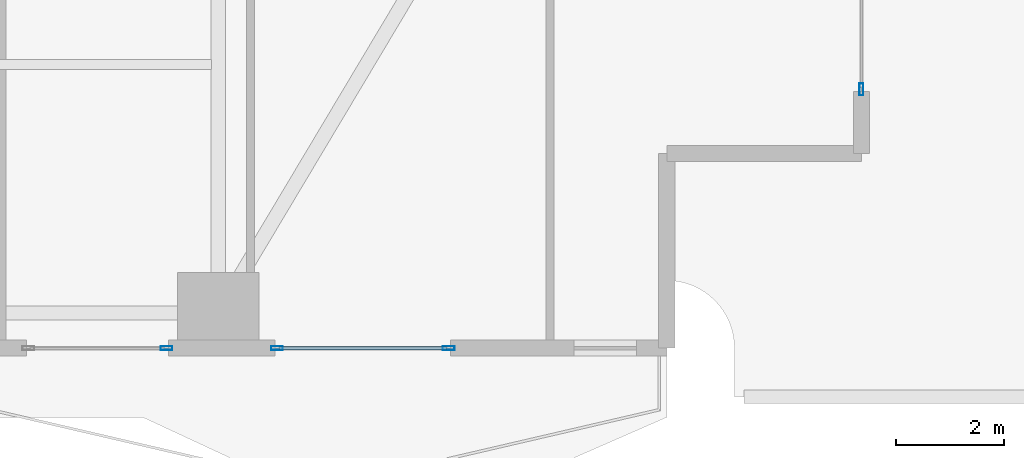
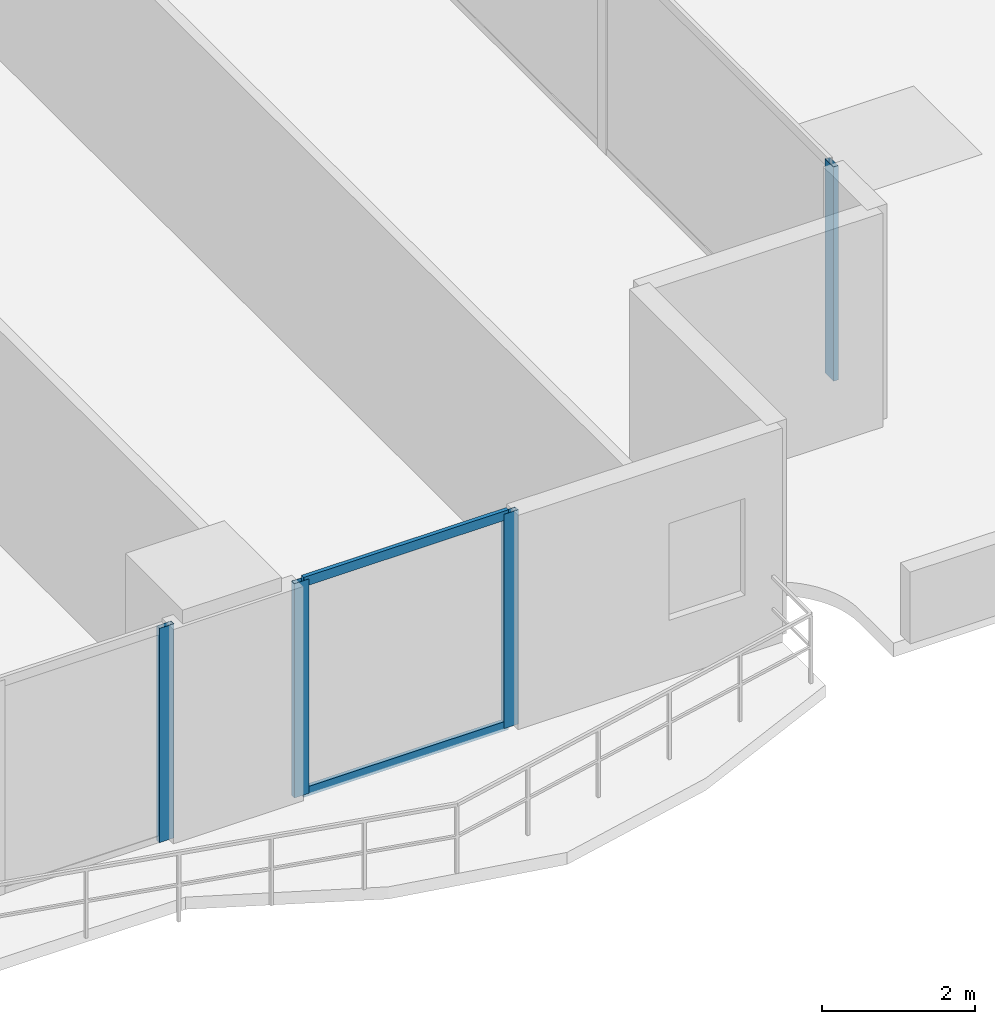
# One storey, part 8 of 30: 6 members, 3 elements without a shape of their own.
"""IFC4 building model written with IfcOpenShell, lengths in metres."""

import ifcopenshell
import ifcopenshell.guid

model = None  # the IFC model being written
_history = None  # IfcOwnerHistory: only IFC2X3 demands one
_inside = {}  # id of a spatial element -> (the spatial element, [elements in it])
_under = {}  # id of a project, library or spatial element -> (it, [spatial elements below it])
_declared = {}  # id of a project -> (the project, [libraries it declares])
_typed = {}  # id of a type object -> (the type object, [elements of that type])
_made_of = {}  # id of a material, layer set ... -> (it, [elements and type objects made of it])


def new_model(schema):
    """Start an empty IFC model of exactly this schema.

    Asked for "IFC4X3", IfcOpenShell would pick the latest addendum, in which some entities
    have other attributes; the version numbers below select the first issue.
    IFC2X3 requires an IfcOwnerHistory on every rooted entity: one is made here for all.
    """
    global model, _history
    if schema == "IFC4X3":
        model = ifcopenshell.file(schema_version=(4, 3, 0, 0))
    else:
        model = ifcopenshell.file(schema=schema)
    _inside.clear()
    _under.clear()
    _declared.clear()
    _typed.clear()
    _made_of.clear()
    _history = None
    if model.schema == "IFC2X3":
        org = make("IfcOrganization", Name="unknown")
        user = make(
            "IfcPersonAndOrganization",
            ThePerson=make("IfcPerson", FamilyName="unknown"),
            TheOrganization=org,
        )
        app = make(
            "IfcApplication",
            ApplicationDeveloper=org,
            Version="unknown",
            ApplicationFullName="unknown",
            ApplicationIdentifier="unknown",
        )
        _history = make(
            "IfcOwnerHistory",
            OwningUser=user,
            OwningApplication=app,
            ChangeAction="ADDED",
            CreationDate=0,
        )
    return model


def make(cls, **values):
    """One entity of the class cls with the attributes given. An attribute that is None is left unset."""
    return model.create_entity(
        cls, **{name: value for name, value in values.items() if value is not None}
    )


def rooted(cls, **values):
    """An entity with a GlobalId (a new one), such as an element, a storey or a relation."""
    return make(cls, GlobalId=ifcopenshell.guid.new(), OwnerHistory=_history, **values)


def si_unit(unit_type, name, prefix=None):
    """IfcSIUnit, for example si_unit("LENGTHUNIT", "METRE", prefix="MILLI")."""
    return make("IfcSIUnit", UnitType=unit_type, Prefix=prefix, Name=name)


def assignment(units):
    """IfcUnitAssignment: the units of a project."""
    return None if units is None else make("IfcUnitAssignment", Units=units)


def point(xyz):
    """IfcCartesianPoint."""
    return None if xyz is None else make("IfcCartesianPoint", Coordinates=xyz)


def direction(xyz):
    """IfcDirection."""
    return None if xyz is None else make("IfcDirection", DirectionRatios=xyz)


def frame(location, z_axis=None, x_axis=None):
    """IfcAxis2Placement3D, a coordinate frame: its origin and axes. An axis left out is left unset."""
    return make(
        "IfcAxis2Placement3D",
        Location=point(location),
        Axis=direction(z_axis),
        RefDirection=direction(x_axis),
    )


def frame_2d(location, x_axis=None):
    """IfcAxis2Placement2D, a coordinate frame in the plane: its origin and x axis."""
    return make(
        "IfcAxis2Placement2D", Location=point(location), RefDirection=direction(x_axis)
    )


def origin():
    """The frame at (0, 0, 0) with its axes left unset."""
    return frame((0.0, 0.0, 0.0))


def origin_2d():
    """The frame at (0, 0) in the plane with its x axis left unset."""
    return frame_2d((0.0, 0.0))


def place(relative_to, where):
    """IfcLocalPlacement: puts the frame where relative to a parent placement (None: the world)."""
    return make(
        "IfcLocalPlacement", PlacementRelTo=relative_to, RelativePlacement=where
    )


def context(
    kind, dimensions, precision=None, world=None, true_north=None, identifier=None
):
    """IfcGeometricRepresentationContext, for example the 3D "Model" context."""
    return make(
        "IfcGeometricRepresentationContext",
        ContextIdentifier=identifier,
        ContextType=kind,
        CoordinateSpaceDimension=dimensions,
        Precision=precision,
        WorldCoordinateSystem=world,
        TrueNorth=true_north,
    )


def subcontext(parent, identifier, kind, view, scale=None):
    """IfcGeometricRepresentationSubContext, for example "Body" below "Model"."""
    return make(
        "IfcGeometricRepresentationSubContext",
        ContextIdentifier=identifier,
        ContextType=kind,
        ParentContext=parent,
        TargetScale=scale,
        TargetView=view,
    )


def project(units=None, contexts=None):
    """IfcProject with its units and contexts."""
    return rooted(
        "IfcProject",
        Name="project",
        RepresentationContexts=contexts,
        UnitsInContext=assignment(units),
    )


def spatial(cls, under=None, at=None, **own):
    """A site, building, storey or space (cls), placed at a placement, below another one or the project."""
    s = rooted(cls, ObjectPlacement=at, **own)
    if under is not None:
        _under.setdefault(under.id(), (under, []))[1].append(s)
    return s


def profile(cls, at=None, kind="AREA", **sizes):
    """A parametric profile (cls). Its sizes go by their IFC names, for example OverallWidth=200.0."""
    return make(cls, ProfileType=kind, Position=at, **sizes)


def hollow_rectangle(**sizes):
    """IfcRectangleHollowProfileDef."""
    return profile("IfcRectangleHollowProfileDef", **sizes)


def extrude(swept, where, along, depth):
    """IfcExtrudedAreaSolid: the profile swept, set in the frame where, extruded along a direction by depth."""
    return make(
        "IfcExtrudedAreaSolid",
        SweptArea=swept,
        Position=where,
        ExtrudedDirection=direction(along),
        Depth=depth,
    )


def shape(context_of_items, identifier, shape_type, items):
    """IfcShapeRepresentation: the items that make up one representation, for example the "Body"."""
    return make(
        "IfcShapeRepresentation",
        ContextOfItems=context_of_items,
        RepresentationIdentifier=identifier,
        RepresentationType=shape_type,
        Items=items,
    )


def material(Name=None, Category=None):
    """IfcMaterial."""
    return make("IfcMaterial", Name=Name, Category=Category)


def layer(
    of_material, thickness, ventilated=None, Name=None, Category=None, Priority=None
):
    """IfcMaterialLayer: one layer of a wall or slab, of a material (None: an air gap)."""
    return make(
        "IfcMaterialLayer",
        Material=of_material,
        LayerThickness=thickness,
        IsVentilated=ventilated,
        Name=Name,
        Category=Category,
        Priority=Priority,
    )


def layer_set(layers, Name=None):
    """IfcMaterialLayerSet."""
    return make("IfcMaterialLayerSet", MaterialLayers=layers, LayerSetName=Name)


def material_profile(
    of_material, cross_section, Name=None, Category=None, Priority=None
):
    """IfcMaterialProfile: a cross section and its material."""
    return make(
        "IfcMaterialProfile",
        Name=Name,
        Material=of_material,
        Profile=cross_section,
        Priority=Priority,
        Category=Category,
    )


def profile_set(profiles, Name=None, composite=None):
    """IfcMaterialProfileSet."""
    return make(
        "IfcMaterialProfileSet",
        Name=Name,
        MaterialProfiles=profiles,
        CompositeProfile=composite,
    )


def made_of(thing, what):
    """Note that an element or type object is made of a material, layer set ...; save() writes the relation."""
    if what is not None:
        _made_of.setdefault(what.id(), (what, []))[1].append(thing)
    return thing


def type_object(cls, material=None, **own):
    """A type object (cls), such as IfcWallType, which elements share."""
    return made_of(rooted(cls, **own), material)


def element(
    cls,
    number,
    at=None,
    inside=None,
    cuts=None,
    type_object=None,
    material=None,
    context=None,
    identifier="Body",
    shape_type=None,
    held_by="IfcProductDefinitionShape",
    body=None,
    shapes=None,
    **own,
):
    """One element of the class cls, such as IfcWall. Its Tag is "e" and its number.

    at: its placement. inside: the storey or other place that contains it. cuts: it is an
    opening in that element (IfcRelVoidsElement). A single representation is given by context,
    identifier, shape_type and body (its items); several are given by shapes. held_by: the class
    of the entity that holds the representations. save() writes the other relations.
    """
    e = rooted(cls, Tag="e%d" % number, ObjectPlacement=at, **own)
    if body is not None:
        shapes = [shape(context, identifier, shape_type, body)]
    if shapes is not None:
        e.Representation = make(held_by, Representations=shapes)
    if inside is not None:
        _inside.setdefault(inside.id(), (inside, []))[1].append(e)
    if cuts is not None:
        rooted(
            "IfcRelVoidsElement", RelatingBuildingElement=cuts, RelatedOpeningElement=e
        )
    if type_object is not None:
        _typed.setdefault(type_object.id(), (type_object, []))[1].append(e)
    return made_of(e, material)


def aggregate(whole, parts):
    """IfcRelAggregates: a whole, such as a stair, and the parts it consists of."""
    return rooted("IfcRelAggregates", RelatingObject=whole, RelatedObjects=parts)


def save(model, path):
    """Write the relations noted so far, then the file.

    IfcRelAggregates (storeys below a building ...), IfcRelContainedInSpatialStructure (elements
    in a storey), IfcRelDefinesByType, IfcRelAssociatesMaterial and IfcRelDeclares: one each for
    every whole, place, type object, material and project.
    """
    for whole, parts in _under.values():
        aggregate(whole, parts)
    for where, things in _inside.values():
        rooted(
            "IfcRelContainedInSpatialStructure",
            RelatedElements=things,
            RelatingStructure=where,
        )
    for kind, things in _typed.values():
        rooted("IfcRelDefinesByType", RelatedObjects=things, RelatingType=kind)
    for what, things in _made_of.values():
        rooted("IfcRelAssociatesMaterial", RelatedObjects=things, RelatingMaterial=what)
    for by, libraries in _declared.values():
        rooted("IfcRelDeclares", RelatingContext=by, RelatedDefinitions=libraries)
    model.write(path)


model = new_model("IFC4")

# Units and contexts
model_context = context("Model", 3, precision=1e-05, world=origin(), true_north=direction((0.0, 1.0)))
body_context = subcontext(model_context, "Body", "Model", "MODEL_VIEW")
ifc_project = project(units=[si_unit("LENGTHUNIT", "METRE"), si_unit("AREAUNIT", "SQUARE_METRE"), si_unit("VOLUMEUNIT", "CUBIC_METRE"), si_unit("PLANEANGLEUNIT", "RADIAN"), si_unit("MASSUNIT", "GRAM", prefix="KILO")], contexts=[model_context])

# Site, building, storey
site_placement = place(None, origin())
site = spatial("IfcSite", under=ifc_project, at=site_placement, CompositionType="ELEMENT")
building_placement = place(site_placement, origin())
building = spatial("IfcBuilding", under=site, at=building_placement, Name="Zuhayl Quay Hotel", CompositionType="ELEMENT")
storey_placement = place(building_placement, frame((0.0, 0.0, 27.60009765625)))
storey = spatial("IfcBuildingStorey", under=building, at=storey_placement, Name="L05", CompositionType="ELEMENT", Elevation=27.60009765625)

# Curtain wall, member
ifc_material_1 = material(Name="Anodised Aluminium 6063-T6", Category="aluminium")
ifc_layer = layer(ifc_material_1, 0.18994140625, Name="Anodised Aluminium 6063-T6", Category="aluminium")
ifc_layer_set = layer_set([ifc_layer], Name="Anodised Aluminium 6063-T6")
curtain_wall_type = type_object("IfcCurtainWallType", Name="CW_SYS_Z1", PredefinedType="USERDEFINED", material=ifc_layer_set)
curtain_wall_1_placement = place(storey_placement, origin())
curtain_wall_1 = element("IfcCurtainWall", 1, at=curtain_wall_1_placement, inside=storey, type_object=curtain_wall_type, Name="L05 Curtain Wall ENV_L05_E14_CW1", ObjectType="UNITISED CURTAIN WALL", PredefinedType="USERDEFINED")
ifc_material_2 = material(Name="Black-anodised aluminium 6063-T6", Category="aluminium")
ifc_material_profile_1 = material_profile(ifc_material_2, hollow_rectangle(XDim=0.074951171875, YDim=0.219970703125, WallThickness=0.00390625, at=origin_2d()), Name="ALU220X75")
ifc_profile_set_1 = profile_set([ifc_material_profile_1], Name="Black-anodised aluminium 6063-T6")
member_type_1 = type_object("IfcMemberType", Name="MB_CW_MUL_220", PredefinedType="MULLION", material=ifc_profile_set_1)
member_1_placement = place(storey_placement, frame((25.699951171875, -18.3125, 0.0), z_axis=(0.0, 0.0, 1.0), x_axis=(1.0, 0.0, 0.0)))
member_1 = element("IfcMember", 2, at=member_1_placement, type_object=member_type_1, Name="CW-Z1 mullion 3", PredefinedType="MULLION", context=body_context, shape_type="SweptSolid", body=[
    extrude(hollow_rectangle(XDim=0.074951171875, YDim=0.219970703125, WallThickness=0.00390625, at=origin_2d()), origin(), (0.0, 0.0, 1.0), 3.429931640625),
])
aggregate(curtain_wall_1, [member_1])

# Curtain wall, members
curtain_wall_2_placement = place(storey_placement, origin())
curtain_wall_2 = element("IfcCurtainWall", 3, at=curtain_wall_2_placement, inside=storey, type_object=curtain_wall_type, Name="L05 Curtain Wall ENV_L05_S_CW1", ObjectType="UNITISED CURTAIN WALL", PredefinedType="USERDEFINED")
member_2_placement = place(storey_placement, frame((18.0625, -23.10009765625, 0.0), z_axis=(0.0, 0.0, 1.0), x_axis=(0.0, -1.0, 0.0)))
member_2 = element("IfcMember", 4, at=member_2_placement, type_object=member_type_1, Name="CW-Z1 mullion 1", PredefinedType="MULLION", context=body_context, shape_type="SweptSolid", body=[
    extrude(hollow_rectangle(XDim=0.074951171875, YDim=0.219970703125, WallThickness=0.00390625, at=origin_2d()), origin(), (0.0, 0.0, 1.0), 3.429931640625),
])
member_3_placement = place(storey_placement, frame((14.887451171875, -23.10009765625, 0.0), z_axis=(0.0, 0.0, 1.0), x_axis=(0.0, -1.0, 0.0)))
member_3 = element("IfcMember", 5, at=member_3_placement, type_object=member_type_1, Name="CW-Z1 mullion 2", PredefinedType="MULLION", context=body_context, shape_type="SweptSolid", body=[
    extrude(hollow_rectangle(XDim=0.074951171875, YDim=0.219970703125, WallThickness=0.00390625, at=origin_2d()), origin(), (0.0, 0.0, 1.0), 3.429931640625),
])

# Curtain wall, member
curtain_wall_3_placement = place(storey_placement, origin())
curtain_wall_3 = element("IfcCurtainWall", 6, at=curtain_wall_3_placement, inside=storey, type_object=curtain_wall_type, Name="L05 Curtain Wall ENV_L05_S_CW2", ObjectType="UNITISED CURTAIN WALL", PredefinedType="USERDEFINED")
member_4_placement = place(storey_placement, frame((12.842529296875, -23.10009765625, 0.0), z_axis=(0.0, 0.0, 1.0), x_axis=(0.0, -1.0, 0.0)))
member_4 = element("IfcMember", 7, at=member_4_placement, type_object=member_type_1, Name="CW-Z1 mullion 1", PredefinedType="MULLION", context=body_context, shape_type="SweptSolid", body=[
    extrude(hollow_rectangle(XDim=0.074951171875, YDim=0.219970703125, WallThickness=0.00390625, at=origin_2d()), origin(), (0.0, 0.0, 1.0), 3.429931640625),
])
aggregate(curtain_wall_3, [member_4])

# Member
ifc_material_profile_2 = material_profile(ifc_material_2, hollow_rectangle(XDim=0.06005859375, YDim=0.14990234375, WallThickness=0.00341796875, at=origin_2d()), Name="ALU150X60")
ifc_profile_set_2 = profile_set([ifc_material_profile_2], Name="Black-anodised aluminium 6063-T6")
member_type_2 = type_object("IfcMemberType", Name="MB_CW_TRN_150", PredefinedType="USERDEFINED", material=ifc_profile_set_2)
member_5_placement = place(storey_placement, frame((18.02490234375, -23.10009765625, 0.02978515625), z_axis=(-1.0, 0.0, 0.0), x_axis=(0.0, -1.0, 0.0)))
member_5 = element("IfcMember", 8, at=member_5_placement, type_object=member_type_2, Name="CW-Z1 transom 1.1", ObjectType="TRANSOM", PredefinedType="USERDEFINED", context=body_context, shape_type="SweptSolid", body=[
    extrude(hollow_rectangle(XDim=0.06005859375, YDim=0.14990234375, WallThickness=0.00341796875, at=origin_2d()), origin(), (0.0, 0.0, 1.0), 3.099853515625),
])

member_6_placement = place(storey_placement, frame((18.02490234375, -23.10009765625, 3.39990234375), z_axis=(-1.0, 0.0, 0.0), x_axis=(0.0, -1.0, 0.0)))
member_6 = element("IfcMember", 9, at=member_6_placement, type_object=member_type_2, Name="CW-Z1 transom 1.2", ObjectType="TRANSOM", PredefinedType="USERDEFINED", context=body_context, shape_type="SweptSolid", body=[
    extrude(hollow_rectangle(XDim=0.06005859375, YDim=0.14990234375, WallThickness=0.00341796875, at=origin_2d()), origin(), (0.0, 0.0, 1.0), 3.099853515625),
])

aggregate(curtain_wall_2, [member_2, member_3, member_5, member_6])

save(model, "model.ifc")
